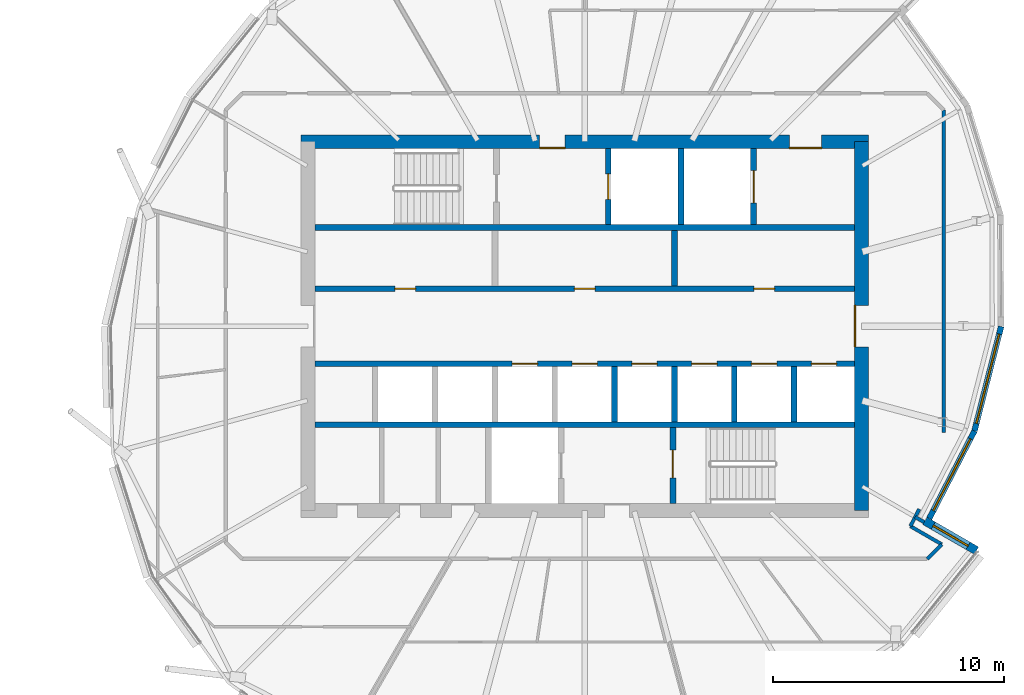
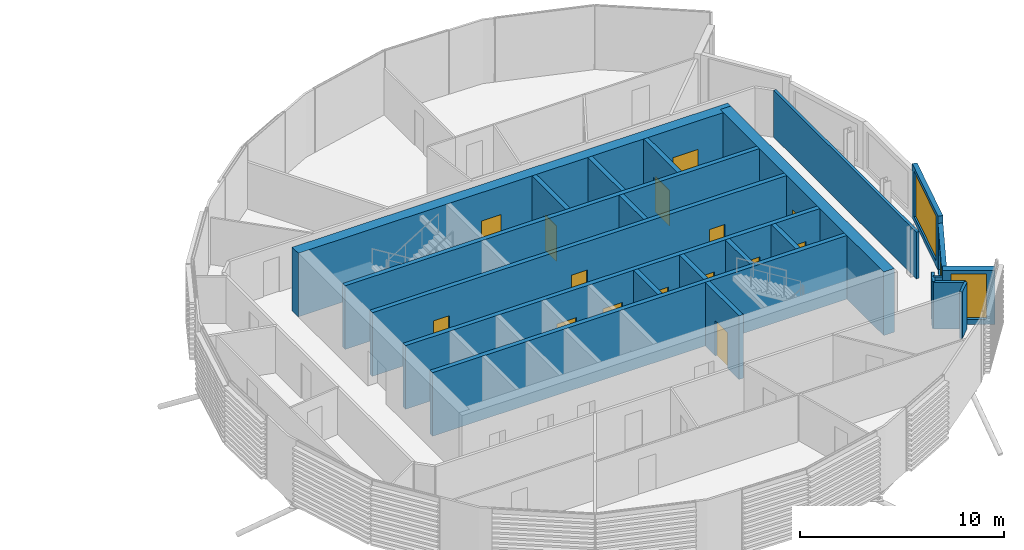
# One storey, part 23 of 36: 23 walls, 15 doors, 3 windows, 18 openings.
"""IFC4 building model written with IfcOpenShell, lengths in metres."""

from ifc_helpers import new_model, si_unit, direction, frame, frame_2d, origin, place, context, subcontext, project, spatial, rectangle, extrude, material, layer, layer_set, type_object, element, fill, save


model = new_model("IFC4")

# Units and contexts
model_context = context("Model", 3, precision=1e-05, world=origin(), true_north=direction((0.0, 1.0)))
body_context = subcontext(model_context, "Body", "Model", "MODEL_VIEW")
ifc_project = project(units=[si_unit("LENGTHUNIT", "METRE"), si_unit("AREAUNIT", "SQUARE_METRE"), si_unit("VOLUMEUNIT", "CUBIC_METRE"), si_unit("PLANEANGLEUNIT", "RADIAN"), si_unit("MASSUNIT", "GRAM", prefix="KILO")], contexts=[model_context])

# Site, building, storey
site_placement = place(None, origin())
site = spatial("IfcSite", under=ifc_project, at=site_placement, CompositionType="ELEMENT")
building_placement = place(site_placement, origin())
building = spatial("IfcBuilding", under=site, at=building_placement, Name="Rimbun Link Towers", CompositionType="ELEMENT")
storey_placement = place(building_placement, frame((0.0, 0.0, 189.300048828125)))
storey = spatial("IfcBuildingStorey", under=building, at=storey_placement, Name="L46", CompositionType="ELEMENT", Elevation=189.300048828125)

# Wall, opening, window
ifc_material_1 = material(Name="Dark enamelled glass spandrel on insulated aluminium backpan", Category="aluminium")
ifc_layer_1 = layer(ifc_material_1, 0.25)
ifc_layer_set_1 = layer_set([ifc_layer_1], Name="CS dark enamelled spandrel wall 250")
wall_type_1 = type_object("IfcWallType", Name="CS dark enamelled spandrel wall 250", PredefinedType="STANDARD", material=ifc_layer_set_1)
wall_1_placement = place(storey_placement, frame((48.65380859375, -4.54248046875, 0.0), z_axis=(0.0, 0.0, 1.0), x_axis=(-0.458536667943, -0.888675488664, 0.0)))
wall_1 = element("IfcWall", 1, at=wall_1_placement, inside=storey, type_object=wall_type_1, Name="Crease spandrel wall", PredefinedType="STANDARD", context=body_context, shape_type="SweptSolid", body=[
    extrude(rectangle(XDim=4.272705078125, YDim=0.25, at=frame_2d((2.13623046875, 0.0))), origin(), (0.0, 0.0, 1.0), 2.799072265625),
])
opening_1_placement = place(wall_1_placement, frame((0.386474609375, 0.0, 0.300048828125)))
opening_1 = element("IfcOpeningElement", 2, at=opening_1_placement, cuts=wall_1, Name="Opening WR35H220", PredefinedType="OPENING", context=body_context, shape_type="SweptSolid", body=[
    extrude(rectangle(XDim=3.5, YDim=2.199951171875, at=frame_2d((1.75, 1.10009765625))), frame((0.0, 0.135009765625, 0.0), z_axis=(0.0, -1.0, 0.0), x_axis=(1.0, 0.0, 0.0)), (0.0, 0.0, 1.0), 0.27001953125),
])
ifc_material_2 = material(Name="Aluminium framed fixed window, dark tinted low-e glass", Category="aluminium")
window_type_1 = type_object("IfcWindowType", Name="WR ribbon window 3500X2200", PartitioningType="SINGLE_PANEL", PredefinedType="WINDOW", material=ifc_material_2)
window_1_placement = place(opening_1_placement, origin())
window_1 = element("IfcWindow", 3, at=window_1_placement, inside=storey, type_object=window_type_1, Name="Crease ribbon window", OverallHeight=2.199951171875, OverallWidth=3.5, PartitioningType="SINGLE_PANEL", PredefinedType="WINDOW", context=body_context, shape_type="SweptSolid", body=[
    extrude(rectangle(XDim=3.5, YDim=2.199951171875, at=frame_2d((1.75, 1.10009765625))), frame((0.0, 0.030029296875, 0.0), z_axis=(0.0, -1.0, 0.0), x_axis=(1.0, 0.0, 0.0)), (0.0, 0.0, 1.0), 0.06005859375),
])
fill(opening_1, window_1)

wall_2_placement = place(storey_placement, frame((49.80908203125, -0.015380859375, 0.0), z_axis=(0.0, 0.0, 1.0), x_axis=(-0.247266343543, -0.968947550361, 0.0)))
wall_2 = element("IfcWall", 4, at=wall_2_placement, inside=storey, type_object=wall_type_1, Name="Crease spandrel wall", PredefinedType="STANDARD", context=body_context, shape_type="SweptSolid", body=[
    extrude(rectangle(XDim=4.672119140625, YDim=0.25, at=frame_2d((2.3359375, 0.0))), origin(), (0.0, 0.0, 1.0), 3.233642578125),
])
opening_2_placement = place(wall_2_placement, frame((0.336181640625, 0.0, 0.300048828125)))
opening_2 = element("IfcOpeningElement", 5, at=opening_2_placement, cuts=wall_2, Name="Opening WR40H270", PredefinedType="OPENING", context=body_context, shape_type="SweptSolid", body=[
    extrude(rectangle(XDim=4.0, YDim=2.699951171875, at=frame_2d((2.0, 1.35009765625))), frame((0.0, 0.135009765625, 0.0), z_axis=(0.0, -1.0, 0.0), x_axis=(1.0, 0.0, 0.0)), (0.0, 0.0, 1.0), 0.27001953125),
])
ifc_material_3 = material(Name="Aluminium framed fixed window, dark tinted low-e glass", Category="aluminium")
window_type_2 = type_object("IfcWindowType", Name="WR ribbon window 4000X2700", PartitioningType="SINGLE_PANEL", PredefinedType="WINDOW", material=ifc_material_3)
window_2_placement = place(opening_2_placement, origin())
window_2 = element("IfcWindow", 6, at=window_2_placement, inside=storey, type_object=window_type_2, Name="Crease ribbon window", OverallHeight=2.699951171875, OverallWidth=4.0, PartitioningType="SINGLE_PANEL", PredefinedType="WINDOW", context=body_context, shape_type="SweptSolid", body=[
    extrude(rectangle(XDim=4.0, YDim=2.699951171875, at=frame_2d((2.0, 1.35009765625))), frame((0.0, 0.030029296875, 0.0), z_axis=(0.0, -1.0, 0.0), x_axis=(1.0, 0.0, 0.0)), (0.0, 0.0, 1.0), 0.06005859375),
])
fill(opening_2, window_2)

ifc_material_4 = material(Name="Dark enamelled glass spandrel on insulated aluminium backpan", Category="aluminium")
ifc_layer_2 = layer(ifc_material_4, 0.3701171875)
ifc_layer_set_2 = layer_set([ifc_layer_2], Name="CS dark enamelled spandrel wall 370")
wall_type_2 = type_object("IfcWallType", Name="CS dark enamelled spandrel wall 370", PredefinedType="STANDARD", material=ifc_layer_set_2)
wall_3_placement = place(storey_placement, frame((46.50390625, -8.443115234375, 0.0), z_axis=(0.0, 0.0, 1.0), x_axis=(0.866021702275, -0.500006411147, 0.0)))
wall_3 = element("IfcWall", 7, at=wall_3_placement, inside=storey, type_object=wall_type_2, Name="Crease spandrel wall", PredefinedType="STANDARD", context=body_context, shape_type="SweptSolid", body=[
    extrude(rectangle(XDim=2.580078125, YDim=0.3701171875, at=frame_2d((1.2900390625, 0.0))), origin(), (0.0, 0.0, 1.0), 3.233642578125),
])
opening_3_placement = place(wall_3_placement, frame((0.4150390625, 0.0, 0.300048828125)))
opening_3 = element("IfcOpeningElement", 8, at=opening_3_placement, cuts=wall_3, Name="Opening WR18H270", PredefinedType="OPENING", context=body_context, shape_type="SweptSolid", body=[
    extrude(rectangle(XDim=1.75, YDim=2.699951171875, at=frame_2d((0.875, 1.35009765625))), frame((0.0, 0.195068359375, 0.0), z_axis=(0.0, -1.0, 0.0), x_axis=(1.0, 0.0, 0.0)), (0.0, 0.0, 1.0), 0.39013671875),
])
ifc_material_5 = material(Name="Aluminium framed fixed window, dark tinted low-e glass", Category="aluminium")
window_type_3 = type_object("IfcWindowType", Name="WR ribbon window 1750X2700", PartitioningType="SINGLE_PANEL", PredefinedType="WINDOW", material=ifc_material_5)
window_3_placement = place(opening_3_placement, origin())
window_3 = element("IfcWindow", 9, at=window_3_placement, inside=storey, type_object=window_type_3, Name="Crease ribbon window", OverallHeight=2.699951171875, OverallWidth=1.75, PartitioningType="SINGLE_PANEL", PredefinedType="WINDOW", context=body_context, shape_type="SweptSolid", body=[
    extrude(rectangle(XDim=1.75, YDim=2.699951171875, at=frame_2d((0.875, 1.35009765625))), frame((0.0, 0.030029296875, 0.0), z_axis=(0.0, -1.0, 0.0), x_axis=(1.0, 0.0, 0.0)), (0.0, 0.0, 1.0), 0.06005859375),
])
fill(opening_3, window_3)

# Wall, openings, doors
ifc_material_6 = material(Name="Concrete C60/75", Category="concrete")
ifc_layer_3 = layer(ifc_material_6, 0.60009765625)
ifc_layer_set_3 = layer_set([ifc_layer_3], Name="Core shear wall 600")
wall_type_3 = type_object("IfcWallType", Name="Core shear wall 600", PredefinedType="SHEAR", material=ifc_layer_set_3)
wall_4_placement = place(storey_placement, frame((19.449951171875, 8.0, 0.0), z_axis=(0.0, 0.0, 1.0), x_axis=(1.0, 0.0, 0.0)))
wall_4 = element("IfcWall", 10, at=wall_4_placement, inside=storey, type_object=wall_type_3, Name="L46 T2 core wall N", PredefinedType="SHEAR", context=body_context, shape_type="SweptSolid", body=[
    extrude(rectangle(XDim=24.60009765625, YDim=0.60009765625, at=frame_2d((12.300048828125, 0.0))), origin(), (0.0, 0.0, 1.0), 3.800048828125),
])
opening_4_placement = place(wall_4_placement, frame((10.35009765625, 0.0, 0.0)))
opening_4 = element("IfcOpeningElement", 11, at=opening_4_placement, cuts=wall_4, Name="Opening C2DCF01N", PredefinedType="OPENING", context=body_context, shape_type="SweptSolid", body=[
    extrude(rectangle(XDim=1.10009765625, YDim=2.10009765625, at=frame_2d((0.550048828125, 1.050048828125))), frame((0.0, 0.31005859375, 0.0), z_axis=(0.0, -1.0, 0.0), x_axis=(1.0, 0.0, 0.0)), (0.0, 0.0, 1.0), 0.6201171875),
])
opening_5_placement = place(wall_4_placement, frame((21.175048828125, 0.0, 0.0)))
opening_5 = element("IfcOpeningElement", 12, at=opening_5_placement, cuts=wall_4, Name="Opening C2DSL02N", PredefinedType="OPENING", context=body_context, shape_type="SweptSolid", body=[
    extrude(rectangle(XDim=1.39990234375, YDim=2.10009765625, at=frame_2d((0.699951171875, 1.050048828125))), frame((0.0, 0.31005859375, 0.0), z_axis=(0.0, -1.0, 0.0), x_axis=(1.0, 0.0, 0.0)), (0.0, 0.0, 1.0), 0.6201171875),
])
ifc_material_7 = material(Name="Steel fire door set", Category="steel")
door_type_1 = type_object("IfcDoorType", Name="Core fire door single", OperationType="SINGLE_SWING_LEFT", PredefinedType="DOOR", material=ifc_material_7)
door_1_placement = place(opening_4_placement, origin())
door_1 = element("IfcDoor", 13, at=door_1_placement, inside=storey, type_object=door_type_1, Name="L46 T2 firefighting lobby n door", OperationType="SINGLE_SWING_RIGHT", OverallHeight=2.10009765625, OverallWidth=1.10009765625, PredefinedType="DOOR", context=body_context, shape_type="SweptSolid", body=[
    extrude(rectangle(XDim=1.10009765625, YDim=2.10009765625, at=frame_2d((0.550048828125, 1.050048828125))), frame((0.0, -0.25, 0.0), z_axis=(0.0, -1.0, 0.0), x_axis=(1.0, 0.0, 0.0)), (0.0, 0.0, 1.0), 0.050048828125),
])
fill(opening_4, door_1)
ifc_material_8 = material(Name="Steel fire door set", Category="steel")
door_type_2 = type_object("IfcDoorType", Name="Service lobby door double", OperationType="DOUBLE_DOOR_SINGLE_SWING", PredefinedType="DOOR", material=ifc_material_8)
door_2_placement = place(opening_5_placement, origin())
door_2 = element("IfcDoor", 14, at=door_2_placement, inside=storey, type_object=door_type_2, Name="L46 T2 service lobby door", OperationType="DOUBLE_DOOR_SINGLE_SWING", OverallHeight=2.10009765625, OverallWidth=1.39990234375, PredefinedType="DOOR", context=body_context, shape_type="SweptSolid", body=[
    extrude(rectangle(XDim=1.39990234375, YDim=2.10009765625, at=frame_2d((0.699951171875, 1.050048828125))), frame((0.0, -0.25, 0.0), z_axis=(0.0, -1.0, 0.0), x_axis=(1.0, 0.0, 0.0)), (0.0, 0.0, 1.0), 0.050048828125),
])
fill(opening_5, door_2)

# Wall, opening, door
wall_5_placement = place(storey_placement, frame((43.75, -8.0, 0.0), z_axis=(0.0, 0.0, 1.0), x_axis=(0.0, 1.0, 0.0)))
wall_5 = element("IfcWall", 15, at=wall_5_placement, inside=storey, type_object=wall_type_3, Name="L46 T2 core wall E", PredefinedType="SHEAR", context=body_context, shape_type="SweptSolid", body=[
    extrude(rectangle(XDim=16.0, YDim=0.60009765625, at=frame_2d((8.0, 0.0))), origin(), (0.0, 0.0, 1.0), 3.800048828125),
])
opening_6_placement = place(wall_5_placement, frame((7.10009765625, 0.0, 0.0)))
opening_6 = element("IfcOpeningElement", 16, at=opening_6_placement, cuts=wall_5, Name="Opening C2DCL01E", PredefinedType="OPENING", context=body_context, shape_type="SweptSolid", body=[
    extrude(rectangle(XDim=1.800048828125, YDim=2.10009765625, at=frame_2d((0.89990234375, 1.050048828125))), frame((0.0, 0.31005859375, 0.0), z_axis=(0.0, -1.0, 0.0), x_axis=(1.0, 0.0, 0.0)), (0.0, 0.0, 1.0), 0.6201171875),
])
ifc_material_9 = material(Name="Steel fire door set", Category="steel")
door_type_3 = type_object("IfcDoorType", Name="Core lobby door double", OperationType="DOUBLE_DOOR_SINGLE_SWING", PredefinedType="DOOR", material=ifc_material_9)
door_3_placement = place(opening_6_placement, origin())
door_3 = element("IfcDoor", 17, at=door_3_placement, inside=storey, type_object=door_type_3, Name="L46 T2 lift lobby door", OperationType="DOUBLE_DOOR_SINGLE_SWING", OverallHeight=2.10009765625, OverallWidth=1.800048828125, PredefinedType="DOOR", context=body_context, shape_type="SweptSolid", body=[
    extrude(rectangle(XDim=1.800048828125, YDim=2.10009765625, at=frame_2d((0.89990234375, 1.050048828125))), frame((0.0, 0.2998046875, 0.0), z_axis=(0.0, -1.0, 0.0), x_axis=(1.0, 0.0, 0.0)), (0.0, 0.0, 1.0), 0.050048828125),
])
fill(opening_6, door_3)

# Walls
ifc_material_10 = material(Name="Plasterboard on steel stud, mineral wool", Category="steel")
ifc_layer_4 = layer(ifc_material_10, 0.14990234375)
ifc_layer_set_4 = layer_set([ifc_layer_4], Name="Corridor wall EI 30 150 mm")
wall_type_4 = type_object("IfcWallType", Name="Corridor wall EI 30 150 mm", PredefinedType="PARTITIONING", material=ifc_layer_set_4)
wall_6_placement = place(storey_placement, frame((47.324951171875, -4.607421875, 0.0), z_axis=(0.0, 0.0, 1.0), x_axis=(0.0, 1.0, 0.0)))
element("IfcWall", 18, at=wall_6_placement, inside=storey, type_object=wall_type_4, Name="Corridor wall EI 30 150 mm", PredefinedType="PARTITIONING", context=body_context, shape_type="SweptSolid", body=[
    extrude(rectangle(XDim=13.981201171875, YDim=0.14990234375, at=frame_2d((6.99072265625, 0.0))), origin(), (0.0, 0.0, 1.0), 2.7890625),
])
wall_7_placement = place(storey_placement, frame((45.874755859375, -8.674560546875, 0.0), z_axis=(0.0, 0.0, 1.0), x_axis=(0.458382769629, 0.888754879878, 0.0)))
element("IfcWall", 19, at=wall_7_placement, inside=storey, type_object=wall_type_4, Name="Corridor wall EI 30 150 mm", PredefinedType="PARTITIONING", context=body_context, shape_type="SweptSolid", body=[
    extrude(rectangle(XDim=0.836669921875, YDim=0.14990234375, at=frame_2d((0.41845703125, 0.0))), origin(), (0.0, 0.0, 1.0), 2.7890625),
])
wall_8_placement = place(storey_placement, frame((47.2373046875, -9.461181640625, 0.0), z_axis=(0.0, 0.0, 1.0), x_axis=(-0.866038294681, 0.499977671647, 0.0)))
element("IfcWall", 20, at=wall_8_placement, inside=storey, type_object=wall_type_4, Name="Corridor wall EI 30 150 mm", PredefinedType="PARTITIONING", context=body_context, shape_type="SweptSolid", body=[
    extrude(rectangle(XDim=1.5732421875, YDim=0.14990234375, at=frame_2d((0.78662109375, 0.0))), origin(), (0.0, 0.0, 1.0), 2.7890625),
])
wall_9_placement = place(storey_placement, frame((46.603759765625, -10.094970703125, 0.0), z_axis=(0.0, 0.0, 1.0), x_axis=(0.706970550234, 0.707242985898, 0.0)))
element("IfcWall", 21, at=wall_9_placement, inside=storey, type_object=wall_type_4, Name="Corridor wall EI 30 150 mm", PredefinedType="PARTITIONING", context=body_context, shape_type="SweptSolid", body=[
    extrude(rectangle(XDim=0.896240234375, YDim=0.14990234375, at=frame_2d((0.4482421875, 0.0))), origin(), (0.0, 0.0, 1.0), 2.7890625),
])
ifc_material_11 = material(Name="Concrete C60/75", Category="concrete")
ifc_layer_5 = layer(ifc_material_11, 0.25)
ifc_layer_set_5 = layer_set([ifc_layer_5], Name="Shaft wall 250")
wall_type_5 = type_object("IfcWallType", Name="Shaft wall 250", PredefinedType="SHEAR", material=ifc_layer_set_5)
for number, where, z_axis, x_axis, name in (
    (22, (20.050048828125, 4.27490234375, 0.0), (0.0, 0.0, 1.0), (1.0, 0.0, 0.0), "L46 T2 core wall BN"),
    (23, (20.050048828125, -4.27490234375, 0.0), (0.0, 0.0, 1.0), (1.0, 0.0, 0.0), "L46 T2 core wall BS"),
):
    element("IfcWall", number, at=place(storey_placement, frame(where, z_axis=z_axis, x_axis=x_axis)), inside=storey, type_object=wall_type_5, Name=name, PredefinedType="SHEAR", context=body_context, shape_type="SweptSolid", body=[
        extrude(rectangle(XDim=23.39990234375, YDim=0.25, at=frame_2d((11.699951171875, 0.0))), origin(), (0.0, 0.0, 1.0), 3.800048828125),
    ])

# Wall, openings, doors
wall_10_placement = place(storey_placement, frame((20.050048828125, 1.625, 0.0), z_axis=(0.0, 0.0, 1.0), x_axis=(1.0, 0.0, 0.0)))
wall_10 = element("IfcWall", 24, at=wall_10_placement, inside=storey, type_object=wall_type_5, Name="L46 T2 core wall FN", PredefinedType="SHEAR", context=body_context, shape_type="SweptSolid", body=[
    extrude(rectangle(XDim=23.39990234375, YDim=0.25, at=frame_2d((11.699951171875, 0.0))), origin(), (0.0, 0.0, 1.0), 3.800048828125),
])
opening_7_placement = place(wall_10_placement, frame((3.466796875, 0.0, 0.0)))
opening_7 = element("IfcOpeningElement", 25, at=opening_7_placement, cuts=wall_10, Name="Opening C2DRS01FN", PredefinedType="OPENING", context=body_context, shape_type="SweptSolid", body=[
    extrude(rectangle(XDim=0.89990234375, YDim=2.10009765625, at=frame_2d((0.449951171875, 1.050048828125))), frame((0.0, 0.135009765625, 0.0), z_axis=(0.0, -1.0, 0.0), x_axis=(1.0, 0.0, 0.0)), (0.0, 0.0, 1.0), 0.27001953125),
])
opening_8_placement = place(wall_10_placement, frame((11.25, 0.0, 0.0)))
opening_8 = element("IfcOpeningElement", 26, at=opening_8_placement, cuts=wall_10, Name="Opening C2DRS02FN", PredefinedType="OPENING", context=body_context, shape_type="SweptSolid", body=[
    extrude(rectangle(XDim=0.89990234375, YDim=2.10009765625, at=frame_2d((0.449951171875, 1.050048828125))), frame((0.0, 0.135009765625, 0.0), z_axis=(0.0, -1.0, 0.0), x_axis=(1.0, 0.0, 0.0)), (0.0, 0.0, 1.0), 0.27001953125),
])
opening_9_placement = place(wall_10_placement, frame((19.033203125, 0.0, 0.0)))
opening_9 = element("IfcOpeningElement", 27, at=opening_9_placement, cuts=wall_10, Name="Opening C2DRS03FN", PredefinedType="OPENING", context=body_context, shape_type="SweptSolid", body=[
    extrude(rectangle(XDim=0.89990234375, YDim=2.10009765625, at=frame_2d((0.449951171875, 1.050048828125))), frame((0.0, 0.135009765625, 0.0), z_axis=(0.0, -1.0, 0.0), x_axis=(1.0, 0.0, 0.0)), (0.0, 0.0, 1.0), 0.27001953125),
])
ifc_material_12 = material(Name="Steel fire door set", Category="steel")
door_type_4 = type_object("IfcDoorType", Name="Core riser door", OperationType="SINGLE_SWING_LEFT", PredefinedType="DOOR", material=ifc_material_12)
door_4_placement = place(opening_7_placement, origin())
door_4 = element("IfcDoor", 28, at=door_4_placement, inside=storey, type_object=door_type_4, Name="L46 T2 records store door", OperationType="SINGLE_SWING_LEFT", OverallHeight=2.10009765625, OverallWidth=0.89990234375, PredefinedType="DOOR", context=body_context, shape_type="SweptSolid", body=[
    extrude(rectangle(XDim=0.89990234375, YDim=2.10009765625, at=frame_2d((0.449951171875, 1.050048828125))), frame((0.0, 0.02490234375, 0.0), z_axis=(0.0, -1.0, 0.0), x_axis=(1.0, 0.0, 0.0)), (0.0, 0.0, 1.0), 0.050048828125),
])
fill(opening_7, door_4)
door_5_placement = place(opening_8_placement, origin())
door_5 = element("IfcDoor", 29, at=door_5_placement, inside=storey, type_object=door_type_4, Name="L46 T2 training store door", OperationType="SINGLE_SWING_LEFT", OverallHeight=2.10009765625, OverallWidth=0.89990234375, PredefinedType="DOOR", context=body_context, shape_type="SweptSolid", body=[
    extrude(rectangle(XDim=0.89990234375, YDim=2.10009765625, at=frame_2d((0.449951171875, 1.050048828125))), frame((0.0, 0.02490234375, 0.0), z_axis=(0.0, -1.0, 0.0), x_axis=(1.0, 0.0, 0.0)), (0.0, 0.0, 1.0), 0.050048828125),
])
fill(opening_8, door_5)
door_6_placement = place(opening_9_placement, origin())
door_6 = element("IfcDoor", 30, at=door_6_placement, inside=storey, type_object=door_type_4, Name="L46 T2 meeting pod door", OperationType="SINGLE_SWING_RIGHT", OverallHeight=2.10009765625, OverallWidth=0.89990234375, PredefinedType="DOOR", context=body_context, shape_type="SweptSolid", body=[
    extrude(rectangle(XDim=0.89990234375, YDim=2.10009765625, at=frame_2d((0.449951171875, 1.050048828125))), frame((0.0, 0.02490234375, 0.0), z_axis=(0.0, -1.0, 0.0), x_axis=(1.0, 0.0, 0.0)), (0.0, 0.0, 1.0), 0.050048828125),
])
fill(opening_9, door_6)

wall_11_placement = place(storey_placement, frame((20.050048828125, -1.625, 0.0), z_axis=(0.0, 0.0, 1.0), x_axis=(1.0, 0.0, 0.0)))
wall_11 = element("IfcWall", 31, at=wall_11_placement, inside=storey, type_object=wall_type_5, Name="L46 T2 core wall FS", PredefinedType="SHEAR", context=body_context, shape_type="SweptSolid", body=[
    extrude(rectangle(XDim=23.39990234375, YDim=0.25, at=frame_2d((11.699951171875, 0.0))), origin(), (0.0, 0.0, 1.0), 3.800048828125),
])
opening_10_placement = place(wall_11_placement, frame((8.5556640625, 0.0, 0.0)))
opening_10 = element("IfcOpeningElement", 32, at=opening_10_placement, cuts=wall_11, Name="Opening LD-T2-HR1", PredefinedType="OPENING", context=body_context, shape_type="SweptSolid", body=[
    extrude(rectangle(XDim=1.10009765625, YDim=2.10009765625, at=frame_2d((0.550048828125, 1.050048828125))), frame((0.0, 0.135009765625, 0.0), z_axis=(0.0, -1.0, 0.0), x_axis=(1.0, 0.0, 0.0)), (0.0, 0.0, 1.0), 0.27001953125),
])
opening_11_placement = place(wall_11_placement, frame((11.14990234375, 0.0, 0.0)))
opening_11 = element("IfcOpeningElement", 33, at=opening_11_placement, cuts=wall_11, Name="Opening LD-T2-HR2", PredefinedType="OPENING", context=body_context, shape_type="SweptSolid", body=[
    extrude(rectangle(XDim=1.10009765625, YDim=2.10009765625, at=frame_2d((0.550048828125, 1.050048828125))), frame((0.0, 0.135009765625, 0.0), z_axis=(0.0, -1.0, 0.0), x_axis=(1.0, 0.0, 0.0)), (0.0, 0.0, 1.0), 0.27001953125),
])
opening_12_placement = place(wall_11_placement, frame((13.744384765625, 0.0, 0.0)))
opening_12 = element("IfcOpeningElement", 34, at=opening_12_placement, cuts=wall_11, Name="Opening LD-T2-HR3", PredefinedType="OPENING", context=body_context, shape_type="SweptSolid", body=[
    extrude(rectangle(XDim=1.10009765625, YDim=2.10009765625, at=frame_2d((0.550048828125, 1.050048828125))), frame((0.0, 0.135009765625, 0.0), z_axis=(0.0, -1.0, 0.0), x_axis=(1.0, 0.0, 0.0)), (0.0, 0.0, 1.0), 0.27001953125),
])
opening_13_placement = place(wall_11_placement, frame((16.3388671875, 0.0, 0.0)))
opening_13 = element("IfcOpeningElement", 35, at=opening_13_placement, cuts=wall_11, Name="Opening LD-T2-HR4", PredefinedType="OPENING", context=body_context, shape_type="SweptSolid", body=[
    extrude(rectangle(XDim=1.10009765625, YDim=2.10009765625, at=frame_2d((0.550048828125, 1.050048828125))), frame((0.0, 0.135009765625, 0.0), z_axis=(0.0, -1.0, 0.0), x_axis=(1.0, 0.0, 0.0)), (0.0, 0.0, 1.0), 0.27001953125),
])
opening_14_placement = place(wall_11_placement, frame((18.933349609375, 0.0, 0.0)))
opening_14 = element("IfcOpeningElement", 36, at=opening_14_placement, cuts=wall_11, Name="Opening LD-T2-HR5", PredefinedType="OPENING", context=body_context, shape_type="SweptSolid", body=[
    extrude(rectangle(XDim=1.10009765625, YDim=2.10009765625, at=frame_2d((0.550048828125, 1.050048828125))), frame((0.0, 0.135009765625, 0.0), z_axis=(0.0, -1.0, 0.0), x_axis=(1.0, 0.0, 0.0)), (0.0, 0.0, 1.0), 0.27001953125),
])
opening_15_placement = place(wall_11_placement, frame((21.52783203125, 0.0, 0.0)))
opening_15 = element("IfcOpeningElement", 37, at=opening_15_placement, cuts=wall_11, Name="Opening LD-T2-HR6", PredefinedType="OPENING", context=body_context, shape_type="SweptSolid", body=[
    extrude(rectangle(XDim=1.10009765625, YDim=2.10009765625, at=frame_2d((0.550048828125, 1.050048828125))), frame((0.0, 0.135009765625, 0.0), z_axis=(0.0, -1.0, 0.0), x_axis=(1.0, 0.0, 0.0)), (0.0, 0.0, 1.0), 0.27001953125),
])
ifc_material_13 = material(Name="Stainless steel grade 316", Category="steel")
door_type_5 = type_object("IfcDoorType", Name="Lift landing door", OperationType="DOUBLE_DOOR_SLIDING", PredefinedType="DOOR", material=ifc_material_13)
door_7_placement = place(opening_10_placement, origin())
door_7 = element("IfcDoor", 38, at=door_7_placement, inside=storey, type_object=door_type_5, Name="L46 T2 lift HR1 landing door", OperationType="DOUBLE_DOOR_SLIDING", OverallHeight=2.10009765625, OverallWidth=1.10009765625, PredefinedType="DOOR", context=body_context, shape_type="SweptSolid", body=[
    extrude(rectangle(XDim=1.10009765625, YDim=2.10009765625, at=frame_2d((0.550048828125, 1.050048828125))), frame((0.0, 0.02490234375, 0.0), z_axis=(0.0, -1.0, 0.0), x_axis=(1.0, 0.0, 0.0)), (0.0, 0.0, 1.0), 0.050048828125),
])
fill(opening_10, door_7)
door_8_placement = place(opening_11_placement, origin())
door_8 = element("IfcDoor", 39, at=door_8_placement, inside=storey, type_object=door_type_5, Name="L46 T2 lift HR2 landing door", OperationType="DOUBLE_DOOR_SLIDING", OverallHeight=2.10009765625, OverallWidth=1.10009765625, PredefinedType="DOOR", context=body_context, shape_type="SweptSolid", body=[
    extrude(rectangle(XDim=1.10009765625, YDim=2.10009765625, at=frame_2d((0.550048828125, 1.050048828125))), frame((0.0, 0.02490234375, 0.0), z_axis=(0.0, -1.0, 0.0), x_axis=(1.0, 0.0, 0.0)), (0.0, 0.0, 1.0), 0.050048828125),
])
fill(opening_11, door_8)
door_9_placement = place(opening_12_placement, origin())
door_9 = element("IfcDoor", 40, at=door_9_placement, inside=storey, type_object=door_type_5, Name="L46 T2 lift HR3 landing door", OperationType="DOUBLE_DOOR_SLIDING", OverallHeight=2.10009765625, OverallWidth=1.10009765625, PredefinedType="DOOR", context=body_context, shape_type="SweptSolid", body=[
    extrude(rectangle(XDim=1.10009765625, YDim=2.10009765625, at=frame_2d((0.550048828125, 1.050048828125))), frame((0.0, 0.02490234375, 0.0), z_axis=(0.0, -1.0, 0.0), x_axis=(1.0, 0.0, 0.0)), (0.0, 0.0, 1.0), 0.050048828125),
])
fill(opening_12, door_9)
door_10_placement = place(opening_13_placement, origin())
door_10 = element("IfcDoor", 41, at=door_10_placement, inside=storey, type_object=door_type_5, Name="L46 T2 lift HR4 landing door", OperationType="DOUBLE_DOOR_SLIDING", OverallHeight=2.10009765625, OverallWidth=1.10009765625, PredefinedType="DOOR", context=body_context, shape_type="SweptSolid", body=[
    extrude(rectangle(XDim=1.10009765625, YDim=2.10009765625, at=frame_2d((0.550048828125, 1.050048828125))), frame((0.0, 0.02490234375, 0.0), z_axis=(0.0, -1.0, 0.0), x_axis=(1.0, 0.0, 0.0)), (0.0, 0.0, 1.0), 0.050048828125),
])
fill(opening_13, door_10)
door_11_placement = place(opening_14_placement, origin())
door_11 = element("IfcDoor", 42, at=door_11_placement, inside=storey, type_object=door_type_5, Name="L46 T2 lift HR5 landing door", OperationType="DOUBLE_DOOR_SLIDING", OverallHeight=2.10009765625, OverallWidth=1.10009765625, PredefinedType="DOOR", context=body_context, shape_type="SweptSolid", body=[
    extrude(rectangle(XDim=1.10009765625, YDim=2.10009765625, at=frame_2d((0.550048828125, 1.050048828125))), frame((0.0, 0.02490234375, 0.0), z_axis=(0.0, -1.0, 0.0), x_axis=(1.0, 0.0, 0.0)), (0.0, 0.0, 1.0), 0.050048828125),
])
fill(opening_14, door_11)
door_12_placement = place(opening_15_placement, origin())
door_12 = element("IfcDoor", 43, at=door_12_placement, inside=storey, type_object=door_type_5, Name="L46 T2 lift HR6 landing door", OperationType="DOUBLE_DOOR_SLIDING", OverallHeight=2.10009765625, OverallWidth=1.10009765625, PredefinedType="DOOR", context=body_context, shape_type="SweptSolid", body=[
    extrude(rectangle(XDim=1.10009765625, YDim=2.10009765625, at=frame_2d((0.550048828125, 1.050048828125))), frame((0.0, 0.02490234375, 0.0), z_axis=(0.0, -1.0, 0.0), x_axis=(1.0, 0.0, 0.0)), (0.0, 0.0, 1.0), 0.050048828125),
])
fill(opening_15, door_12)

# Walls
for number, where, z_axis, x_axis, name in (
    (44, (35.6416015625, 1.75, 0.0), (0.0, 0.0, 1.0), (0.0, 1.0, 0.0), "L46 T2 core wall DN5"),
    (45, (33.047119140625, -4.14990234375, 0.0), (0.0, 0.0, 1.0), (0.0, 1.0, 0.0), "L46 T2 core wall DS4"),
    (46, (35.6416015625, -4.14990234375, 0.0), (0.0, 0.0, 1.0), (0.0, 1.0, 0.0), "L46 T2 core wall DS5"),
    (47, (38.236083984375, -4.14990234375, 0.0), (0.0, 0.0, 1.0), (0.0, 1.0, 0.0), "L46 T2 core wall DS6"),
    (48, (40.83056640625, -4.14990234375, 0.0), (0.0, 0.0, 1.0), (0.0, 1.0, 0.0), "L46 T2 core wall DS7"),
):
    element("IfcWall", number, at=place(storey_placement, frame(where, z_axis=z_axis, x_axis=x_axis)), inside=storey, type_object=wall_type_5, Name=name, PredefinedType="SHEAR", context=body_context, shape_type="SweptSolid", body=[
        extrude(rectangle(XDim=2.39990234375, YDim=0.25, at=frame_2d((1.199951171875, 0.0))), origin(), (0.0, 0.0, 1.0), 3.800048828125),
    ])

# Wall, opening, door
wall_12_placement = place(storey_placement, frame((32.77490234375, 4.39990234375, 0.0), z_axis=(0.0, 0.0, 1.0), x_axis=(0.0, 1.0, 0.0)))
wall_12 = element("IfcWall", 49, at=wall_12_placement, inside=storey, type_object=wall_type_5, Name="L46 T2 core wall A2", PredefinedType="SHEAR", context=body_context, shape_type="SweptSolid", body=[
    extrude(rectangle(XDim=3.300048828125, YDim=0.25, at=frame_2d((1.64990234375, 0.0))), origin(), (0.0, 0.0, 1.0), 3.800048828125),
])
opening_16_placement = place(wall_12_placement, frame((1.10009765625, 0.0, 0.0)))
opening_16 = element("IfcOpeningElement", 50, at=opening_16_placement, cuts=wall_12, Name="Opening LD-T2-FF1", PredefinedType="OPENING", context=body_context, shape_type="SweptSolid", body=[
    extrude(rectangle(XDim=1.10009765625, YDim=2.10009765625, at=frame_2d((0.550048828125, 1.050048828125))), frame((0.0, 0.135009765625, 0.0), z_axis=(0.0, -1.0, 0.0), x_axis=(1.0, 0.0, 0.0)), (0.0, 0.0, 1.0), 0.27001953125),
])
door_13_placement = place(opening_16_placement, origin())
door_13 = element("IfcDoor", 51, at=door_13_placement, inside=storey, type_object=door_type_5, Name="L46 T2 lift FF1 landing door", OperationType="DOUBLE_DOOR_SLIDING", OverallHeight=2.10009765625, OverallWidth=1.10009765625, PredefinedType="DOOR", context=body_context, shape_type="SweptSolid", body=[
    extrude(rectangle(XDim=1.10009765625, YDim=2.10009765625, at=frame_2d((0.550048828125, 1.050048828125))), frame((0.0, 0.02490234375, 0.0), z_axis=(0.0, -1.0, 0.0), x_axis=(1.0, 0.0, 0.0)), (0.0, 0.0, 1.0), 0.050048828125),
])
fill(opening_16, door_13)

# Wall
wall_13_placement = place(storey_placement, frame((35.925048828125, 4.39990234375, 0.0), z_axis=(0.0, 0.0, 1.0), x_axis=(0.0, 1.0, 0.0)))
element("IfcWall", 52, at=wall_13_placement, inside=storey, type_object=wall_type_5, Name="L46 T2 core wall A3", PredefinedType="SHEAR", context=body_context, shape_type="SweptSolid", body=[
    extrude(rectangle(XDim=3.300048828125, YDim=0.25, at=frame_2d((1.64990234375, 0.0))), origin(), (0.0, 0.0, 1.0), 3.800048828125),
])

# Wall, opening, door
wall_14_placement = place(storey_placement, frame((39.074951171875, 4.39990234375, 0.0), z_axis=(0.0, 0.0, 1.0), x_axis=(0.0, 1.0, 0.0)))
wall_14 = element("IfcWall", 53, at=wall_14_placement, inside=storey, type_object=wall_type_5, Name="L46 T2 core wall A4", PredefinedType="SHEAR", context=body_context, shape_type="SweptSolid", body=[
    extrude(rectangle(XDim=3.300048828125, YDim=0.25, at=frame_2d((1.64990234375, 0.0))), origin(), (0.0, 0.0, 1.0), 3.800048828125),
])
opening_17_placement = place(wall_14_placement, frame((0.949951171875, 0.0, 0.0)))
opening_17 = element("IfcOpeningElement", 54, at=opening_17_placement, cuts=wall_14, Name="Opening LD-T2-GL1", PredefinedType="OPENING", context=body_context, shape_type="SweptSolid", body=[
    extrude(rectangle(XDim=1.39990234375, YDim=2.10009765625, at=frame_2d((0.699951171875, 1.050048828125))), frame((0.0, 0.135009765625, 0.0), z_axis=(0.0, -1.0, 0.0), x_axis=(1.0, 0.0, 0.0)), (0.0, 0.0, 1.0), 0.27001953125),
])
ifc_material_14 = material(Name="Stainless steel grade 316", Category="steel")
door_type_6 = type_object("IfcDoorType", Name="Goods lift landing door", OperationType="DOUBLE_DOOR_SLIDING", PredefinedType="DOOR", material=ifc_material_14)
door_14_placement = place(opening_17_placement, origin())
door_14 = element("IfcDoor", 55, at=door_14_placement, inside=storey, type_object=door_type_6, Name="L46 T2 lift GL1 landing door", OperationType="DOUBLE_DOOR_SLIDING", OverallHeight=2.10009765625, OverallWidth=1.39990234375, PredefinedType="DOOR", context=body_context, shape_type="SweptSolid", body=[
    extrude(rectangle(XDim=1.39990234375, YDim=2.10009765625, at=frame_2d((0.699951171875, 1.050048828125))), frame((0.0, 0.02490234375, 0.0), z_axis=(0.0, -1.0, 0.0), x_axis=(1.0, 0.0, 0.0)), (0.0, 0.0, 1.0), 0.050048828125),
])
fill(opening_17, door_14)

wall_15_placement = place(storey_placement, frame((35.574951171875, -4.39990234375, 0.0), z_axis=(0.0, 0.0, 1.0), x_axis=(0.0, -1.0, 0.0)))
wall_15 = element("IfcWall", 56, at=wall_15_placement, inside=storey, type_object=wall_type_5, Name="L46 T2 core wall B1", PredefinedType="SHEAR", context=body_context, shape_type="SweptSolid", body=[
    extrude(rectangle(XDim=3.300048828125, YDim=0.25, at=frame_2d((1.64990234375, 0.0))), origin(), (0.0, 0.0, 1.0), 3.800048828125),
])
opening_18_placement = place(wall_15_placement, frame((0.97509765625, 0.0, 0.0)))
opening_18 = element("IfcOpeningElement", 57, at=opening_18_placement, cuts=wall_15, Name="Opening C2DST01B1", PredefinedType="OPENING", context=body_context, shape_type="SweptSolid", body=[
    extrude(rectangle(XDim=1.199951171875, YDim=2.10009765625, at=frame_2d((0.60009765625, 1.050048828125))), frame((0.0, 0.135009765625, 0.0), z_axis=(0.0, -1.0, 0.0), x_axis=(1.0, 0.0, 0.0)), (0.0, 0.0, 1.0), 0.27001953125),
])
ifc_material_15 = material(Name="Steel fire door set", Category="steel")
door_type_7 = type_object("IfcDoorType", Name="Stair door", OperationType="SINGLE_SWING_LEFT", PredefinedType="DOOR", material=ifc_material_15)
door_15_placement = place(opening_18_placement, origin())
door_15 = element("IfcDoor", 58, at=door_15_placement, inside=storey, type_object=door_type_7, Name="L46 T2 stair b door", OperationType="SINGLE_SWING_LEFT", OverallHeight=2.10009765625, OverallWidth=1.199951171875, PredefinedType="DOOR", context=body_context, shape_type="SweptSolid", body=[
    extrude(rectangle(XDim=1.199951171875, YDim=2.10009765625, at=frame_2d((0.60009765625, 1.050048828125))), frame((0.0, 0.02490234375, 0.0), z_axis=(0.0, -1.0, 0.0), x_axis=(1.0, 0.0, 0.0)), (0.0, 0.0, 1.0), 0.050048828125),
])
fill(opening_18, door_15)

# Wall
ifc_material_16 = material(Name="Plasterboard on steel stud, mineral wool", Category="steel")
ifc_layer_6 = layer(ifc_material_16, 0.14990234375)
ifc_layer_set_6 = layer_set([ifc_layer_6], Name="Tenancy separation wall EI 60 150 mm")
wall_type_6 = type_object("IfcWallType", Name="Tenancy separation wall EI 60 150 mm", PredefinedType="PARTITIONING", material=ifc_layer_set_6)
wall_16_placement = place(storey_placement, frame((46.081298828125, -8.274169921875, 0.0), z_axis=(0.0, 0.0, 1.0), x_axis=(0.8659328762, -0.500160228243, 0.0)))
element("IfcWall", 59, at=wall_16_placement, inside=storey, type_object=wall_type_6, Name="Tenancy separation wall EI 60 150 mm", PredefinedType="PARTITIONING", context=body_context, shape_type="SweptSolid", body=[
    extrude(rectangle(XDim=0.450439453125, YDim=0.14990234375, at=frame_2d((0.22509765625, 0.0))), origin(), (0.0, 0.0, 1.0), 2.7890625),
])

save(model, "model.ifc")
